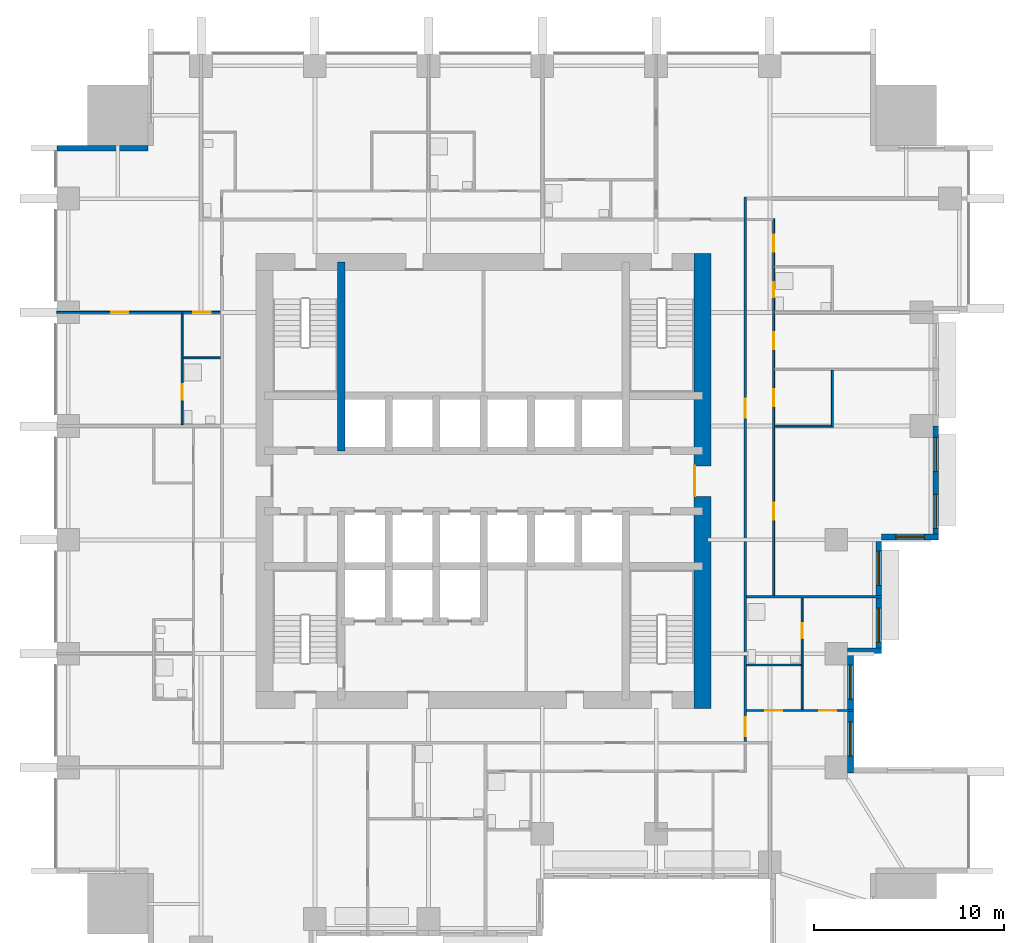
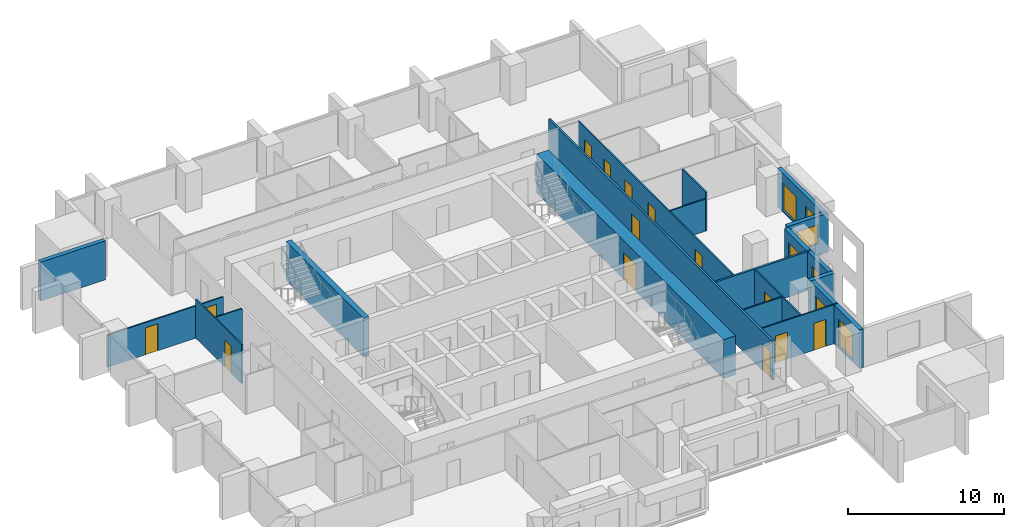
# One storey, part 6 of 10: 19 walls, 14 doors, 7 windows, 21 openings.
"""IFC4 building model written with IfcOpenShell, lengths in metres."""

import ifcopenshell
import ifcopenshell.guid

model = None  # the IFC model being written
_history = None  # IfcOwnerHistory: only IFC2X3 demands one
_inside = {}  # id of a spatial element -> (the spatial element, [elements in it])
_under = {}  # id of a project, library or spatial element -> (it, [spatial elements below it])
_declared = {}  # id of a project -> (the project, [libraries it declares])
_typed = {}  # id of a type object -> (the type object, [elements of that type])
_made_of = {}  # id of a material, layer set ... -> (it, [elements and type objects made of it])


def new_model(schema):
    """Start an empty IFC model of exactly this schema.

    Asked for "IFC4X3", IfcOpenShell would pick the latest addendum, in which some entities
    have other attributes; the version numbers below select the first issue.
    IFC2X3 requires an IfcOwnerHistory on every rooted entity: one is made here for all.
    """
    global model, _history
    if schema == "IFC4X3":
        model = ifcopenshell.file(schema_version=(4, 3, 0, 0))
    else:
        model = ifcopenshell.file(schema=schema)
    _inside.clear()
    _under.clear()
    _declared.clear()
    _typed.clear()
    _made_of.clear()
    _history = None
    if model.schema == "IFC2X3":
        org = make("IfcOrganization", Name="unknown")
        user = make(
            "IfcPersonAndOrganization",
            ThePerson=make("IfcPerson", FamilyName="unknown"),
            TheOrganization=org,
        )
        app = make(
            "IfcApplication",
            ApplicationDeveloper=org,
            Version="unknown",
            ApplicationFullName="unknown",
            ApplicationIdentifier="unknown",
        )
        _history = make(
            "IfcOwnerHistory",
            OwningUser=user,
            OwningApplication=app,
            ChangeAction="ADDED",
            CreationDate=0,
        )
    return model


def make(cls, **values):
    """One entity of the class cls with the attributes given. An attribute that is None is left unset."""
    return model.create_entity(
        cls, **{name: value for name, value in values.items() if value is not None}
    )


def rooted(cls, **values):
    """An entity with a GlobalId (a new one), such as an element, a storey or a relation."""
    return make(cls, GlobalId=ifcopenshell.guid.new(), OwnerHistory=_history, **values)


def si_unit(unit_type, name, prefix=None):
    """IfcSIUnit, for example si_unit("LENGTHUNIT", "METRE", prefix="MILLI")."""
    return make("IfcSIUnit", UnitType=unit_type, Prefix=prefix, Name=name)


def assignment(units):
    """IfcUnitAssignment: the units of a project."""
    return None if units is None else make("IfcUnitAssignment", Units=units)


def point(xyz):
    """IfcCartesianPoint."""
    return None if xyz is None else make("IfcCartesianPoint", Coordinates=xyz)


def direction(xyz):
    """IfcDirection."""
    return None if xyz is None else make("IfcDirection", DirectionRatios=xyz)


def frame(location, z_axis=None, x_axis=None):
    """IfcAxis2Placement3D, a coordinate frame: its origin and axes. An axis left out is left unset."""
    return make(
        "IfcAxis2Placement3D",
        Location=point(location),
        Axis=direction(z_axis),
        RefDirection=direction(x_axis),
    )


def frame_2d(location, x_axis=None):
    """IfcAxis2Placement2D, a coordinate frame in the plane: its origin and x axis."""
    return make(
        "IfcAxis2Placement2D", Location=point(location), RefDirection=direction(x_axis)
    )


def origin():
    """The frame at (0, 0, 0) with its axes left unset."""
    return frame((0.0, 0.0, 0.0))


def place(relative_to, where):
    """IfcLocalPlacement: puts the frame where relative to a parent placement (None: the world)."""
    return make(
        "IfcLocalPlacement", PlacementRelTo=relative_to, RelativePlacement=where
    )


def context(
    kind, dimensions, precision=None, world=None, true_north=None, identifier=None
):
    """IfcGeometricRepresentationContext, for example the 3D "Model" context."""
    return make(
        "IfcGeometricRepresentationContext",
        ContextIdentifier=identifier,
        ContextType=kind,
        CoordinateSpaceDimension=dimensions,
        Precision=precision,
        WorldCoordinateSystem=world,
        TrueNorth=true_north,
    )


def subcontext(parent, identifier, kind, view, scale=None):
    """IfcGeometricRepresentationSubContext, for example "Body" below "Model"."""
    return make(
        "IfcGeometricRepresentationSubContext",
        ContextIdentifier=identifier,
        ContextType=kind,
        ParentContext=parent,
        TargetScale=scale,
        TargetView=view,
    )


def project(units=None, contexts=None):
    """IfcProject with its units and contexts."""
    return rooted(
        "IfcProject",
        Name="project",
        RepresentationContexts=contexts,
        UnitsInContext=assignment(units),
    )


def spatial(cls, under=None, at=None, **own):
    """A site, building, storey or space (cls), placed at a placement, below another one or the project."""
    s = rooted(cls, ObjectPlacement=at, **own)
    if under is not None:
        _under.setdefault(under.id(), (under, []))[1].append(s)
    return s


def profile(cls, at=None, kind="AREA", **sizes):
    """A parametric profile (cls). Its sizes go by their IFC names, for example OverallWidth=200.0."""
    return make(cls, ProfileType=kind, Position=at, **sizes)


def rectangle(**sizes):
    """IfcRectangleProfileDef."""
    return profile("IfcRectangleProfileDef", **sizes)


def extrude(swept, where, along, depth):
    """IfcExtrudedAreaSolid: the profile swept, set in the frame where, extruded along a direction by depth."""
    return make(
        "IfcExtrudedAreaSolid",
        SweptArea=swept,
        Position=where,
        ExtrudedDirection=direction(along),
        Depth=depth,
    )


def shape(context_of_items, identifier, shape_type, items):
    """IfcShapeRepresentation: the items that make up one representation, for example the "Body"."""
    return make(
        "IfcShapeRepresentation",
        ContextOfItems=context_of_items,
        RepresentationIdentifier=identifier,
        RepresentationType=shape_type,
        Items=items,
    )


def material(Name=None, Category=None):
    """IfcMaterial."""
    return make("IfcMaterial", Name=Name, Category=Category)


def layer(
    of_material, thickness, ventilated=None, Name=None, Category=None, Priority=None
):
    """IfcMaterialLayer: one layer of a wall or slab, of a material (None: an air gap)."""
    return make(
        "IfcMaterialLayer",
        Material=of_material,
        LayerThickness=thickness,
        IsVentilated=ventilated,
        Name=Name,
        Category=Category,
        Priority=Priority,
    )


def layer_set(layers, Name=None):
    """IfcMaterialLayerSet."""
    return make("IfcMaterialLayerSet", MaterialLayers=layers, LayerSetName=Name)


def made_of(thing, what):
    """Note that an element or type object is made of a material, layer set ...; save() writes the relation."""
    if what is not None:
        _made_of.setdefault(what.id(), (what, []))[1].append(thing)
    return thing


def type_object(cls, material=None, **own):
    """A type object (cls), such as IfcWallType, which elements share."""
    return made_of(rooted(cls, **own), material)


def element(
    cls,
    number,
    at=None,
    inside=None,
    cuts=None,
    type_object=None,
    material=None,
    context=None,
    identifier="Body",
    shape_type=None,
    held_by="IfcProductDefinitionShape",
    body=None,
    shapes=None,
    **own,
):
    """One element of the class cls, such as IfcWall. Its Tag is "e" and its number.

    at: its placement. inside: the storey or other place that contains it. cuts: it is an
    opening in that element (IfcRelVoidsElement). A single representation is given by context,
    identifier, shape_type and body (its items); several are given by shapes. held_by: the class
    of the entity that holds the representations. save() writes the other relations.
    """
    e = rooted(cls, Tag="e%d" % number, ObjectPlacement=at, **own)
    if body is not None:
        shapes = [shape(context, identifier, shape_type, body)]
    if shapes is not None:
        e.Representation = make(held_by, Representations=shapes)
    if inside is not None:
        _inside.setdefault(inside.id(), (inside, []))[1].append(e)
    if cuts is not None:
        rooted(
            "IfcRelVoidsElement", RelatingBuildingElement=cuts, RelatedOpeningElement=e
        )
    if type_object is not None:
        _typed.setdefault(type_object.id(), (type_object, []))[1].append(e)
    return made_of(e, material)


def fill(opening, filler):
    """IfcRelFillsElement: the door or window that sits in an opening."""
    return rooted(
        "IfcRelFillsElement",
        RelatingOpeningElement=opening,
        RelatedBuildingElement=filler,
    )


def aggregate(whole, parts):
    """IfcRelAggregates: a whole, such as a stair, and the parts it consists of."""
    return rooted("IfcRelAggregates", RelatingObject=whole, RelatedObjects=parts)


def save(model, path):
    """Write the relations noted so far, then the file.

    IfcRelAggregates (storeys below a building ...), IfcRelContainedInSpatialStructure (elements
    in a storey), IfcRelDefinesByType, IfcRelAssociatesMaterial and IfcRelDeclares: one each for
    every whole, place, type object, material and project.
    """
    for whole, parts in _under.values():
        aggregate(whole, parts)
    for where, things in _inside.values():
        rooted(
            "IfcRelContainedInSpatialStructure",
            RelatedElements=things,
            RelatingStructure=where,
        )
    for kind, things in _typed.values():
        rooted("IfcRelDefinesByType", RelatedObjects=things, RelatingType=kind)
    for what, things in _made_of.values():
        rooted("IfcRelAssociatesMaterial", RelatedObjects=things, RelatingMaterial=what)
    for by, libraries in _declared.values():
        rooted("IfcRelDeclares", RelatingContext=by, RelatedDefinitions=libraries)
    model.write(path)


model = new_model("IFC4")

# Units and contexts
model_context = context("Model", 3, precision=1e-05, world=origin(), true_north=direction((0.0, 1.0)))
body_context = subcontext(model_context, "Body", "Model", "MODEL_VIEW")
ifc_project = project(units=[si_unit("LENGTHUNIT", "METRE"), si_unit("AREAUNIT", "SQUARE_METRE"), si_unit("VOLUMEUNIT", "CUBIC_METRE"), si_unit("PLANEANGLEUNIT", "RADIAN"), si_unit("MASSUNIT", "GRAM", prefix="KILO")], contexts=[model_context])

# Site, building, storey
site_placement = place(None, origin())
site = spatial("IfcSite", under=ifc_project, at=site_placement, CompositionType="ELEMENT")
building_placement = place(site_placement, origin())
building = spatial("IfcBuilding", under=site, at=building_placement, Name="Amberfall Residences", CompositionType="ELEMENT")
storey_placement = place(building_placement, frame((0.0, 0.0, 40.0)))
storey = spatial("IfcBuildingStorey", under=building, at=storey_placement, Name="L10", CompositionType="ELEMENT", Elevation=40.0)

# Wall
ifc_material_1 = material(Name="Pale stone cladding on insulated backing", Category="masonry")
ifc_layer_1 = layer(ifc_material_1, 0.300048828125)
ifc_layer_set_1 = layer_set([ifc_layer_1], Name="Bronze clad wall 300")
wall_type_1 = type_object("IfcWallType", Name="Bronze clad wall 300", PredefinedType="SOLIDWALL", material=ifc_layer_set_1)
wall_1_placement = place(storey_placement, frame((93.699951171875, 36.550048828125, 0.0), z_axis=(0.0, 0.0, 1.0), x_axis=(1.0, 0.0, 0.0)))
element("IfcWall", 1, at=wall_1_placement, inside=storey, type_object=wall_type_1, Name="External wall L10 E", PredefinedType="SOLIDWALL", context=body_context, shape_type="SweptSolid", body=[
    extrude(rectangle(XDim=1.800048828125, YDim=0.300048828125, at=frame_2d((0.89990234375, 0.0))), origin(), (0.0, 0.0, 1.0), 3.050048828125),
])

# Wall, opening, window
wall_2_placement = place(storey_placement, frame((95.5, 42.550048828125, 0.0), z_axis=(0.0, 0.0, 1.0), x_axis=(1.0, 0.0, 0.0)))
wall_2 = element("IfcWall", 2, at=wall_2_placement, inside=storey, type_object=wall_type_1, Name="External wall L10 E", PredefinedType="SOLIDWALL", context=body_context, shape_type="SweptSolid", body=[
    extrude(rectangle(XDim=3.0, YDim=0.300048828125, at=frame_2d((1.5, 0.0))), origin(), (0.0, 0.0, 1.0), 3.050048828125),
])
opening_1_placement = place(wall_2_placement, frame((0.75, 0.0, 0.89990234375)))
opening_1 = element("IfcOpeningElement", 3, at=opening_1_placement, cuts=wall_2, Name="Opening WN1", PredefinedType="OPENING", context=body_context, shape_type="SweptSolid", body=[
    extrude(rectangle(XDim=1.5, YDim=1.5, at=frame_2d((0.75, 0.75))), frame((0.0, 0.159912109375, 0.0), z_axis=(0.0, -1.0, 0.0), x_axis=(1.0, 0.0, 0.0)), (0.0, 0.0, 1.0), 0.320068359375),
])
ifc_material_2 = material(Name="Bronze aluminium framed glazing", Category="aluminium")
window_type_1 = type_object("IfcWindowType", Name="Window 1500 x 1500 bronze", PartitioningType="DOUBLE_PANEL_VERTICAL", PredefinedType="WINDOW", material=ifc_material_2)
window_1_placement = place(opening_1_placement, origin())
window_1 = element("IfcWindow", 4, at=window_1_placement, inside=storey, type_object=window_type_1, Name="Window L10 E", OverallHeight=1.5, OverallWidth=1.5, PartitioningType="DOUBLE_PANEL_VERTICAL", PredefinedType="WINDOW", context=body_context, shape_type="SweptSolid", body=[
    extrude(rectangle(XDim=1.5, YDim=1.5, at=frame_2d((0.75, 0.75))), frame((0.0, 0.030029296875, 0.0), z_axis=(0.0, -1.0, 0.0), x_axis=(1.0, 0.0, 0.0)), (0.0, 0.0, 1.0), 0.06005859375),
])
fill(opening_1, window_1)

# Wall
wall_3_placement = place(storey_placement, frame((56.800048828125, 63.050048828125, 0.0), z_axis=(0.0, 0.0, 1.0), x_axis=(-1.0, 0.0, 0.0)))
element("IfcWall", 5, at=wall_3_placement, inside=storey, type_object=wall_type_1, Name="External wall L10 NW", PredefinedType="SOLIDWALL", context=body_context, shape_type="SweptSolid", body=[
    extrude(rectangle(XDim=4.800048828125, YDim=0.300048828125, at=frame_2d((2.39990234375, 0.0))), origin(), (0.0, 0.0, 1.0), 3.050048828125),
])

# Wall, openings, windows
wall_4_placement = place(storey_placement, frame((93.85009765625, 30.10009765625, 0.0), z_axis=(0.0, 0.0, 1.0), x_axis=(0.0, 1.0, 0.0)))
wall_4 = element("IfcWall", 6, at=wall_4_placement, inside=storey, type_object=wall_type_1, Name="Stone wall L10 E", PredefinedType="SOLIDWALL", context=body_context, shape_type="SweptSolid", body=[
    extrude(rectangle(XDim=6.2998046875, YDim=0.300048828125, at=frame_2d((3.14990234375, 0.0))), origin(), (0.0, 0.0, 1.0), 3.050048828125),
])
opening_2_placement = place(wall_4_placement, frame((0.89990234375, 0.0, 0.14990234375)))
opening_2 = element("IfcOpeningElement", 7, at=opening_2_placement, cuts=wall_4, Name="Opening WN6", PredefinedType="OPENING", context=body_context, shape_type="SweptSolid", body=[
    extrude(rectangle(XDim=1.800048828125, YDim=2.10009765625, at=frame_2d((0.89990234375, 1.050048828125))), frame((0.0, 0.159912109375, 0.0), z_axis=(0.0, -1.0, 0.0), x_axis=(1.0, 0.0, 0.0)), (0.0, 0.0, 1.0), 0.320068359375),
])
opening_3_placement = place(wall_4_placement, frame((3.89990234375, 0.0, 0.14990234375)))
opening_3 = element("IfcOpeningElement", 8, at=opening_3_placement, cuts=wall_4, Name="Opening WN6", PredefinedType="OPENING", context=body_context, shape_type="SweptSolid", body=[
    extrude(rectangle(XDim=1.800048828125, YDim=2.10009765625, at=frame_2d((0.89990234375, 1.050048828125))), frame((0.0, 0.159912109375, 0.0), z_axis=(0.0, -1.0, 0.0), x_axis=(1.0, 0.0, 0.0)), (0.0, 0.0, 1.0), 0.320068359375),
])
window_type_2 = type_object("IfcWindowType", Name="Glazed opening 1800 x 2100 bronze", PartitioningType="DOUBLE_PANEL_VERTICAL", PredefinedType="WINDOW", material=ifc_material_2)
window_2_placement = place(opening_2_placement, origin())
window_2 = element("IfcWindow", 9, at=window_2_placement, inside=storey, type_object=window_type_2, Name="Window L10 E", OverallHeight=2.10009765625, OverallWidth=1.800048828125, PartitioningType="DOUBLE_PANEL_VERTICAL", PredefinedType="WINDOW", context=body_context, shape_type="SweptSolid", body=[
    extrude(rectangle(XDim=1.800048828125, YDim=2.10009765625, at=frame_2d((0.89990234375, 1.050048828125))), frame((0.0, 0.030029296875, 0.0), z_axis=(0.0, -1.0, 0.0), x_axis=(1.0, 0.0, 0.0)), (0.0, 0.0, 1.0), 0.06005859375),
])
fill(opening_2, window_2)
window_3_placement = place(opening_3_placement, origin())
window_3 = element("IfcWindow", 10, at=window_3_placement, inside=storey, type_object=window_type_2, Name="Window L10 E", OverallHeight=2.10009765625, OverallWidth=1.800048828125, PartitioningType="DOUBLE_PANEL_VERTICAL", PredefinedType="WINDOW", context=body_context, shape_type="SweptSolid", body=[
    extrude(rectangle(XDim=1.800048828125, YDim=2.10009765625, at=frame_2d((0.89990234375, 1.050048828125))), frame((0.0, 0.030029296875, 0.0), z_axis=(0.0, -1.0, 0.0), x_axis=(1.0, 0.0, 0.0)), (0.0, 0.0, 1.0), 0.06005859375),
])
fill(opening_3, window_3)

wall_5_placement = place(storey_placement, frame((95.35009765625, 36.699951171875, 0.0), z_axis=(0.0, 0.0, 1.0), x_axis=(0.0, 1.0, 0.0)))
wall_5 = element("IfcWall", 11, at=wall_5_placement, inside=storey, type_object=wall_type_1, Name="Stone wall L10 E", PredefinedType="SOLIDWALL", context=body_context, shape_type="SweptSolid", body=[
    extrude(rectangle(XDim=5.610107421875, YDim=0.300048828125, at=frame_2d((2.80517578125, 0.0))), origin(), (0.0, 0.0, 1.0), 3.050048828125),
])
opening_4_placement = place(wall_5_placement, frame((0.300048828125, 0.0, 0.14990234375)))
opening_4 = element("IfcOpeningElement", 12, at=opening_4_placement, cuts=wall_5, Name="Opening WN6", PredefinedType="OPENING", context=body_context, shape_type="SweptSolid", body=[
    extrude(rectangle(XDim=1.800048828125, YDim=2.10009765625, at=frame_2d((0.89990234375, 1.050048828125))), frame((0.0, 0.159912109375, 0.0), z_axis=(0.0, -1.0, 0.0), x_axis=(1.0, 0.0, 0.0)), (0.0, 0.0, 1.0), 0.320068359375),
])
opening_5_placement = place(wall_5_placement, frame((3.300048828125, 0.0, 0.14990234375)))
opening_5 = element("IfcOpeningElement", 13, at=opening_5_placement, cuts=wall_5, Name="Opening WN6", PredefinedType="OPENING", context=body_context, shape_type="SweptSolid", body=[
    extrude(rectangle(XDim=1.800048828125, YDim=2.10009765625, at=frame_2d((0.89990234375, 1.050048828125))), frame((0.0, 0.159912109375, 0.0), z_axis=(0.0, -1.0, 0.0), x_axis=(1.0, 0.0, 0.0)), (0.0, 0.0, 1.0), 0.320068359375),
])
window_4_placement = place(opening_4_placement, origin())
window_4 = element("IfcWindow", 14, at=window_4_placement, inside=storey, type_object=window_type_2, Name="Window L10 E", OverallHeight=2.10009765625, OverallWidth=1.800048828125, PartitioningType="DOUBLE_PANEL_VERTICAL", PredefinedType="WINDOW", context=body_context, shape_type="SweptSolid", body=[
    extrude(rectangle(XDim=1.800048828125, YDim=2.10009765625, at=frame_2d((0.89990234375, 1.050048828125))), frame((0.0, 0.030029296875, 0.0), z_axis=(0.0, -1.0, 0.0), x_axis=(1.0, 0.0, 0.0)), (0.0, 0.0, 1.0), 0.06005859375),
])
fill(opening_4, window_4)
window_5_placement = place(opening_5_placement, origin())
window_5 = element("IfcWindow", 15, at=window_5_placement, inside=storey, type_object=window_type_2, Name="Window L10 E", OverallHeight=2.10009765625, OverallWidth=1.800048828125, PartitioningType="DOUBLE_PANEL_VERTICAL", PredefinedType="WINDOW", context=body_context, shape_type="SweptSolid", body=[
    extrude(rectangle(XDim=1.800048828125, YDim=2.10009765625, at=frame_2d((0.89990234375, 1.050048828125))), frame((0.0, 0.030029296875, 0.0), z_axis=(0.0, -1.0, 0.0), x_axis=(1.0, 0.0, 0.0)), (0.0, 0.0, 1.0), 0.06005859375),
])
fill(opening_5, window_5)

wall_6_placement = place(storey_placement, frame((98.35009765625, 42.699951171875, 0.0), z_axis=(0.0, 0.0, 1.0), x_axis=(0.0, 1.0, 0.0)))
wall_6 = element("IfcWall", 16, at=wall_6_placement, inside=storey, type_object=wall_type_1, Name="Stone wall L10 E", PredefinedType="SOLIDWALL", context=body_context, shape_type="SweptSolid", body=[
    extrude(rectangle(XDim=5.699951171875, YDim=0.300048828125, at=frame_2d((2.85009765625, 0.0))), origin(), (0.0, 0.0, 1.0), 3.050048828125),
])
opening_6_placement = place(wall_6_placement, frame((0.300048828125, 0.0, 0.14990234375)))
opening_6 = element("IfcOpeningElement", 17, at=opening_6_placement, cuts=wall_6, Name="Opening WN6", PredefinedType="OPENING", context=body_context, shape_type="SweptSolid", body=[
    extrude(rectangle(XDim=1.800048828125, YDim=2.10009765625, at=frame_2d((0.89990234375, 1.050048828125))), frame((0.0, 0.159912109375, 0.0), z_axis=(0.0, -1.0, 0.0), x_axis=(1.0, 0.0, 0.0)), (0.0, 0.0, 1.0), 0.320068359375),
])
opening_7_placement = place(wall_6_placement, frame((3.300048828125, 0.0, 0.14990234375)))
opening_7 = element("IfcOpeningElement", 18, at=opening_7_placement, cuts=wall_6, Name="Opening WN6", PredefinedType="OPENING", context=body_context, shape_type="SweptSolid", body=[
    extrude(rectangle(XDim=1.800048828125, YDim=2.10009765625, at=frame_2d((0.89990234375, 1.050048828125))), frame((0.0, 0.159912109375, 0.0), z_axis=(0.0, -1.0, 0.0), x_axis=(1.0, 0.0, 0.0)), (0.0, 0.0, 1.0), 0.320068359375),
])
window_6_placement = place(opening_6_placement, origin())
window_6 = element("IfcWindow", 19, at=window_6_placement, inside=storey, type_object=window_type_2, Name="Window L10 E", OverallHeight=2.10009765625, OverallWidth=1.800048828125, PartitioningType="DOUBLE_PANEL_VERTICAL", PredefinedType="WINDOW", context=body_context, shape_type="SweptSolid", body=[
    extrude(rectangle(XDim=1.800048828125, YDim=2.10009765625, at=frame_2d((0.89990234375, 1.050048828125))), frame((0.0, 0.030029296875, 0.0), z_axis=(0.0, -1.0, 0.0), x_axis=(1.0, 0.0, 0.0)), (0.0, 0.0, 1.0), 0.06005859375),
])
fill(opening_6, window_6)
window_7_placement = place(opening_7_placement, origin())
window_7 = element("IfcWindow", 20, at=window_7_placement, inside=storey, type_object=window_type_2, Name="Window L10 E", OverallHeight=2.10009765625, OverallWidth=1.800048828125, PartitioningType="DOUBLE_PANEL_VERTICAL", PredefinedType="WINDOW", context=body_context, shape_type="SweptSolid", body=[
    extrude(rectangle(XDim=1.800048828125, YDim=2.10009765625, at=frame_2d((0.89990234375, 1.050048828125))), frame((0.0, 0.030029296875, 0.0), z_axis=(0.0, -1.0, 0.0), x_axis=(1.0, 0.0, 0.0)), (0.0, 0.0, 1.0), 0.06005859375),
])
fill(opening_7, window_7)

# Wall
ifc_material_3 = material(Name="Concrete C80", Category="concrete")
ifc_layer_2 = layer(ifc_material_3, 0.39990234375)
ifc_layer_set_2 = layer_set([ifc_layer_2], Name="Core wall 400 C80")
wall_type_2 = type_object("IfcWallType", Name="Core wall 400 C80", PredefinedType="SHEAR", material=ifc_layer_set_2)
wall_7_placement = place(storey_placement, frame((67.0, 47.10009765625, 0.0), z_axis=(0.0, 0.0, 1.0), x_axis=(0.0, 1.0, 0.0)))
element("IfcWall", 21, at=wall_7_placement, inside=storey, type_object=wall_type_2, Name="Core wall RW2 L10 V45N", PredefinedType="SHEAR", context=body_context, shape_type="SweptSolid", body=[
    extrude(rectangle(XDim=9.949951171875, YDim=0.39990234375, at=frame_2d((4.97509765625, 0.0))), origin(), (0.0, 0.0, 1.0), 3.050048828125),
])

# Wall, opening, door
ifc_layer_3 = layer(ifc_material_3, 0.89990234375)
ifc_layer_set_3 = layer_set([ifc_layer_3], Name="Core wall 900 C80")
wall_type_3 = type_object("IfcWallType", Name="Core wall 900 C80", PredefinedType="SHEAR", material=ifc_layer_set_3)
wall_8_placement = place(storey_placement, frame((86.050048828125, 33.5, 0.0), z_axis=(0.0, 0.0, 1.0), x_axis=(0.0, 1.0, 0.0)))
wall_8 = element("IfcWall", 22, at=wall_8_placement, inside=storey, type_object=wall_type_3, Name="Core wall RW1 L10 OE", PredefinedType="SHEAR", context=body_context, shape_type="SweptSolid", body=[
    extrude(rectangle(XDim=24.0, YDim=0.89990234375, at=frame_2d((12.0, 0.0))), origin(), (0.0, 0.0, 1.0), 3.050048828125),
])
opening_8_placement = place(wall_8_placement, frame((11.199951171875, 0.0, 0.0)))
opening_8 = element("IfcOpeningElement", 23, at=opening_8_placement, cuts=wall_8, Name="Opening LB1", PredefinedType="OPENING", context=body_context, shape_type="SweptSolid", body=[
    extrude(rectangle(XDim=1.60009765625, YDim=2.10009765625, at=frame_2d((0.800048828125, 1.050048828125))), frame((0.0, 0.4599609375, 0.0), z_axis=(0.0, -1.0, 0.0), x_axis=(1.0, 0.0, 0.0)), (0.0, 0.0, 1.0), 0.919921875),
])
ifc_material_4 = material(Name="Steel fire door set", Category="steel")
door_type_1 = type_object("IfcDoorType", Name="Lift lobby double door 1600 x 2100", OperationType="DOUBLE_DOOR_SINGLE_SWING", PredefinedType="DOOR", material=ifc_material_4)
door_1_placement = place(opening_8_placement, origin())
door_1 = element("IfcDoor", 24, at=door_1_placement, inside=storey, type_object=door_type_1, Name="LB1 L10", OperationType="DOUBLE_DOOR_SINGLE_SWING", OverallHeight=2.10009765625, OverallWidth=1.60009765625, PredefinedType="DOOR", context=body_context, shape_type="SweptSolid", body=[
    extrude(rectangle(XDim=1.60009765625, YDim=2.10009765625, at=frame_2d((0.800048828125, 1.050048828125))), frame((0.0, 0.4375, 0.0), z_axis=(0.0, -1.0, 0.0), x_axis=(1.0, 0.0, 0.0)), (0.0, 0.0, 1.0), 0.050048828125),
])
fill(opening_8, door_1)

ifc_material_5 = material(Name="Gypsum board on metal stud")
ifc_layer_4 = layer(ifc_material_5, 0.10009765625)
ifc_layer_set_4 = layer_set([ifc_layer_4], Name="Flat partition 100")
wall_type_4 = type_object("IfcWallType", Name="Flat partition 100", PredefinedType="PARTITIONING", material=ifc_layer_set_4)
wall_9_placement = place(storey_placement, frame((58.60009765625, 54.35009765625, 0.0), z_axis=(0.0, 0.0, 1.0), x_axis=(0.0, -1.0, 0.0)))
wall_9 = element("IfcWall", 25, at=wall_9_placement, inside=storey, type_object=wall_type_4, Name="Partition 003", PredefinedType="PARTITIONING", context=body_context, shape_type="SweptSolid", body=[
    extrude(rectangle(XDim=5.875, YDim=0.10009765625, at=frame_2d((2.9375, 0.0))), origin(), (0.0, 0.0, 1.0), 3.050048828125),
])
opening_9_placement = place(wall_9_placement, frame((3.75, 0.0, 0.0)))
opening_9 = element("IfcOpeningElement", 26, at=opening_9_placement, cuts=wall_9, Name="Opening D42", PredefinedType="OPENING", context=body_context, shape_type="SweptSolid", body=[
    extrude(rectangle(XDim=0.800048828125, YDim=2.10009765625, at=frame_2d((0.39990234375, 1.050048828125))), frame((0.0, 0.06005859375, 0.0), z_axis=(0.0, -1.0, 0.0), x_axis=(1.0, 0.0, 0.0)), (0.0, 0.0, 1.0), 0.1201171875),
])
ifc_material_6 = material(Name="Timber", Category="wood")
door_type_2 = type_object("IfcDoorType", Name="Bathroom door 800 x 2100", OperationType="SINGLE_SWING_LEFT", PredefinedType="DOOR", material=ifc_material_6)
door_2_placement = place(opening_9_placement, origin())
door_2 = element("IfcDoor", 27, at=door_2_placement, inside=storey, type_object=door_type_2, Name="Door 1008 bath1", OperationType="SINGLE_SWING_LEFT", OverallHeight=2.10009765625, OverallWidth=0.800048828125, PredefinedType="DOOR", context=body_context, shape_type="SweptSolid", body=[
    extrude(rectangle(XDim=0.800048828125, YDim=2.10009765625, at=frame_2d((0.39990234375, 1.050048828125))), frame((0.0, 0.02490234375, 0.0), z_axis=(0.0, -1.0, 0.0), x_axis=(1.0, 0.0, 0.0)), (0.0, 0.0, 1.0), 0.050048828125),
])
fill(opening_9, door_2)

# Wall, openings, doors
wall_10_placement = place(storey_placement, frame((89.800048828125, 59.35009765625, 0.0), z_axis=(0.0, 0.0, 1.0), x_axis=(0.0, -1.0, 0.0)))
wall_10 = element("IfcWall", 28, at=wall_10_placement, inside=storey, type_object=wall_type_4, Name="Partition 018", PredefinedType="PARTITIONING", context=body_context, shape_type="SweptSolid", body=[
    extrude(rectangle(XDim=19.875, YDim=0.10009765625, at=frame_2d((9.9375, 0.0))), origin(), (0.0, 0.0, 1.0), 3.050048828125),
])
opening_10_placement = place(wall_10_placement, frame((15.0, 0.0, 0.0)))
opening_10 = element("IfcOpeningElement", 29, at=opening_10_placement, cuts=wall_10, Name="Opening D41", PredefinedType="OPENING", context=body_context, shape_type="SweptSolid", body=[
    extrude(rectangle(XDim=0.89990234375, YDim=2.10009765625, at=frame_2d((0.449951171875, 1.050048828125))), frame((0.0, 0.06005859375, 0.0), z_axis=(0.0, -1.0, 0.0), x_axis=(1.0, 0.0, 0.0)), (0.0, 0.0, 1.0), 0.1201171875),
])
opening_11_placement = place(wall_10_placement, frame((9.0, 0.0, 0.0)))
opening_11 = element("IfcOpeningElement", 30, at=opening_11_placement, cuts=wall_10, Name="Opening D41", PredefinedType="OPENING", context=body_context, shape_type="SweptSolid", body=[
    extrude(rectangle(XDim=0.89990234375, YDim=2.10009765625, at=frame_2d((0.449951171875, 1.050048828125))), frame((0.0, 0.06005859375, 0.0), z_axis=(0.0, -1.0, 0.0), x_axis=(1.0, 0.0, 0.0)), (0.0, 0.0, 1.0), 0.1201171875),
])
opening_12_placement = place(wall_10_placement, frame((6.0, 0.0, 0.0)))
opening_12 = element("IfcOpeningElement", 31, at=opening_12_placement, cuts=wall_10, Name="Opening D41", PredefinedType="OPENING", context=body_context, shape_type="SweptSolid", body=[
    extrude(rectangle(XDim=0.89990234375, YDim=2.10009765625, at=frame_2d((0.449951171875, 1.050048828125))), frame((0.0, 0.06005859375, 0.0), z_axis=(0.0, -1.0, 0.0), x_axis=(1.0, 0.0, 0.0)), (0.0, 0.0, 1.0), 0.1201171875),
])
opening_13_placement = place(wall_10_placement, frame((0.85009765625, 0.0, 0.0)))
opening_13 = element("IfcOpeningElement", 32, at=opening_13_placement, cuts=wall_10, Name="Opening D41", PredefinedType="OPENING", context=body_context, shape_type="SweptSolid", body=[
    extrude(rectangle(XDim=0.89990234375, YDim=2.10009765625, at=frame_2d((0.449951171875, 1.050048828125))), frame((0.0, 0.06005859375, 0.0), z_axis=(0.0, -1.0, 0.0), x_axis=(1.0, 0.0, 0.0)), (0.0, 0.0, 1.0), 0.1201171875),
])
opening_14_placement = place(wall_10_placement, frame((3.35009765625, 0.0, 0.0)))
opening_14 = element("IfcOpeningElement", 33, at=opening_14_placement, cuts=wall_10, Name="Opening D42", PredefinedType="OPENING", context=body_context, shape_type="SweptSolid", body=[
    extrude(rectangle(XDim=0.800048828125, YDim=2.10009765625, at=frame_2d((0.39990234375, 1.050048828125))), frame((0.0, 0.06005859375, 0.0), z_axis=(0.0, -1.0, 0.0), x_axis=(1.0, 0.0, 0.0)), (0.0, 0.0, 1.0), 0.1201171875),
])
door_3_placement = place(opening_14_placement, origin())
door_3 = element("IfcDoor", 34, at=door_3_placement, inside=storey, type_object=door_type_2, Name="Door 1004 bath1", OperationType="SINGLE_SWING_LEFT", OverallHeight=2.10009765625, OverallWidth=0.800048828125, PredefinedType="DOOR", context=body_context, shape_type="SweptSolid", body=[
    extrude(rectangle(XDim=0.800048828125, YDim=2.10009765625, at=frame_2d((0.39990234375, 1.050048828125))), frame((0.0, 0.02490234375, 0.0), z_axis=(0.0, -1.0, 0.0), x_axis=(1.0, 0.0, 0.0)), (0.0, 0.0, 1.0), 0.050048828125),
])
fill(opening_14, door_3)
door_type_3 = type_object("IfcDoorType", Name="Internal door 900 x 2100", OperationType="SINGLE_SWING_LEFT", PredefinedType="DOOR", material=ifc_material_6)
door_4_placement = place(opening_10_placement, origin())
door_4 = element("IfcDoor", 35, at=door_4_placement, inside=storey, type_object=door_type_3, Name="Door 1004 living", OperationType="SINGLE_SWING_LEFT", OverallHeight=2.10009765625, OverallWidth=0.89990234375, PredefinedType="DOOR", context=body_context, shape_type="SweptSolid", body=[
    extrude(rectangle(XDim=0.89990234375, YDim=2.10009765625, at=frame_2d((0.449951171875, 1.050048828125))), frame((0.0, 0.02490234375, 0.0), z_axis=(0.0, -1.0, 0.0), x_axis=(1.0, 0.0, 0.0)), (0.0, 0.0, 1.0), 0.050048828125),
])
fill(opening_10, door_4)
door_5_placement = place(opening_11_placement, origin())
door_5 = element("IfcDoor", 36, at=door_5_placement, inside=storey, type_object=door_type_3, Name="Door 1004 kitchen", OperationType="SINGLE_SWING_LEFT", OverallHeight=2.10009765625, OverallWidth=0.89990234375, PredefinedType="DOOR", context=body_context, shape_type="SweptSolid", body=[
    extrude(rectangle(XDim=0.89990234375, YDim=2.10009765625, at=frame_2d((0.449951171875, 1.050048828125))), frame((0.0, 0.02490234375, 0.0), z_axis=(0.0, -1.0, 0.0), x_axis=(1.0, 0.0, 0.0)), (0.0, 0.0, 1.0), 0.050048828125),
])
fill(opening_11, door_5)
door_6_placement = place(opening_12_placement, origin())
door_6 = element("IfcDoor", 37, at=door_6_placement, inside=storey, type_object=door_type_3, Name="Door 1004 bedroom1", OperationType="SINGLE_SWING_LEFT", OverallHeight=2.10009765625, OverallWidth=0.89990234375, PredefinedType="DOOR", context=body_context, shape_type="SweptSolid", body=[
    extrude(rectangle(XDim=0.89990234375, YDim=2.10009765625, at=frame_2d((0.449951171875, 1.050048828125))), frame((0.0, 0.02490234375, 0.0), z_axis=(0.0, -1.0, 0.0), x_axis=(1.0, 0.0, 0.0)), (0.0, 0.0, 1.0), 0.050048828125),
])
fill(opening_12, door_6)
door_7_placement = place(opening_13_placement, origin())
door_7 = element("IfcDoor", 38, at=door_7_placement, inside=storey, type_object=door_type_3, Name="Door 1004 bedroom2", OperationType="SINGLE_SWING_LEFT", OverallHeight=2.10009765625, OverallWidth=0.89990234375, PredefinedType="DOOR", context=body_context, shape_type="SweptSolid", body=[
    extrude(rectangle(XDim=0.89990234375, YDim=2.10009765625, at=frame_2d((0.449951171875, 1.050048828125))), frame((0.0, 0.02490234375, 0.0), z_axis=(0.0, -1.0, 0.0), x_axis=(1.0, 0.0, 0.0)), (0.0, 0.0, 1.0), 0.050048828125),
])
fill(opening_13, door_7)

# Wall, opening, door
wall_11_placement = place(storey_placement, frame((91.300048828125, 33.449951171875, 0.0), z_axis=(0.0, 0.0, 1.0), x_axis=(0.0, 1.0, 0.0)))
wall_11 = element("IfcWall", 39, at=wall_11_placement, inside=storey, type_object=wall_type_4, Name="Partition 019", PredefinedType="PARTITIONING", context=body_context, shape_type="SweptSolid", body=[
    extrude(rectangle(XDim=5.875, YDim=0.10009765625, at=frame_2d((2.9375, 0.0))), origin(), (0.0, 0.0, 1.0), 3.050048828125),
])
opening_15_placement = place(wall_11_placement, frame((3.75, 0.0, 0.0)))
opening_15 = element("IfcOpeningElement", 40, at=opening_15_placement, cuts=wall_11, Name="Opening D42", PredefinedType="OPENING", context=body_context, shape_type="SweptSolid", body=[
    extrude(rectangle(XDim=0.800048828125, YDim=2.10009765625, at=frame_2d((0.39990234375, 1.050048828125))), frame((0.0, 0.06005859375, 0.0), z_axis=(0.0, -1.0, 0.0), x_axis=(1.0, 0.0, 0.0)), (0.0, 0.0, 1.0), 0.1201171875),
])
door_8_placement = place(opening_15_placement, origin())
door_8 = element("IfcDoor", 41, at=door_8_placement, inside=storey, type_object=door_type_2, Name="Door 1003 bath1", OperationType="SINGLE_SWING_LEFT", OverallHeight=2.10009765625, OverallWidth=0.800048828125, PredefinedType="DOOR", context=body_context, shape_type="SweptSolid", body=[
    extrude(rectangle(XDim=0.800048828125, YDim=2.10009765625, at=frame_2d((0.39990234375, 1.050048828125))), frame((0.0, 0.02490234375, 0.0), z_axis=(0.0, -1.0, 0.0), x_axis=(1.0, 0.0, 0.0)), (0.0, 0.0, 1.0), 0.050048828125),
])
fill(opening_15, door_8)

# Wall
wall_12_placement = place(storey_placement, frame((92.89990234375, 48.35009765625, 0.0), z_axis=(0.0, 0.0, 1.0), x_axis=(0.0, 1.0, 0.0)))
element("IfcWall", 42, at=wall_12_placement, inside=storey, type_object=wall_type_4, Name="Partition 020", PredefinedType="PARTITIONING", context=body_context, shape_type="SweptSolid", body=[
    extrude(rectangle(XDim=3.0, YDim=0.10009765625, at=frame_2d((1.5, 0.0))), origin(), (0.0, 0.0, 1.0), 3.050048828125),
])

# Wall, openings, doors
wall_13_placement = place(storey_placement, frame((60.625, 54.39990234375, 0.0), z_axis=(0.0, 0.0, 1.0), x_axis=(-1.0, 0.0, 0.0)))
wall_13 = element("IfcWall", 43, at=wall_13_placement, inside=storey, type_object=wall_type_4, Name="Partition 028", PredefinedType="PARTITIONING", context=body_context, shape_type="SweptSolid", body=[
    extrude(rectangle(XDim=8.625, YDim=0.10009765625, at=frame_2d((4.3125, 0.0))), origin(), (0.0, 0.0, 1.0), 2.51611328125),
])
opening_16_placement = place(wall_13_placement, frame((0.52490234375, 0.0, 0.0)))
opening_16 = element("IfcOpeningElement", 44, at=opening_16_placement, cuts=wall_13, Name="Opening D41", PredefinedType="OPENING", context=body_context, shape_type="SweptSolid", body=[
    extrude(rectangle(XDim=0.89990234375, YDim=2.10009765625, at=frame_2d((0.449951171875, 1.050048828125))), frame((0.0, 0.06005859375, 0.0), z_axis=(0.0, -1.0, 0.0), x_axis=(1.0, 0.0, 0.0)), (0.0, 0.0, 1.0), 0.1201171875),
])
opening_17_placement = place(wall_13_placement, frame((4.875, 0.0, 0.0)))
opening_17 = element("IfcOpeningElement", 45, at=opening_17_placement, cuts=wall_13, Name="Opening D41", PredefinedType="OPENING", context=body_context, shape_type="SweptSolid", body=[
    extrude(rectangle(XDim=0.89990234375, YDim=2.10009765625, at=frame_2d((0.449951171875, 1.050048828125))), frame((0.0, 0.06005859375, 0.0), z_axis=(0.0, -1.0, 0.0), x_axis=(1.0, 0.0, 0.0)), (0.0, 0.0, 1.0), 0.1201171875),
])
door_9_placement = place(opening_16_placement, origin())
door_9 = element("IfcDoor", 46, at=door_9_placement, inside=storey, type_object=door_type_3, Name="Door 1008 kitchen", OperationType="SINGLE_SWING_LEFT", OverallHeight=2.10009765625, OverallWidth=0.89990234375, PredefinedType="DOOR", context=body_context, shape_type="SweptSolid", body=[
    extrude(rectangle(XDim=0.89990234375, YDim=2.10009765625, at=frame_2d((0.449951171875, 1.050048828125))), frame((0.0, 0.02490234375, 0.0), z_axis=(0.0, -1.0, 0.0), x_axis=(1.0, 0.0, 0.0)), (0.0, 0.0, 1.0), 0.050048828125),
])
fill(opening_16, door_9)
door_10_placement = place(opening_17_placement, origin())
door_10 = element("IfcDoor", 47, at=door_10_placement, inside=storey, type_object=door_type_3, Name="Door 1008 bedroom1", OperationType="SINGLE_SWING_LEFT", OverallHeight=2.10009765625, OverallWidth=0.89990234375, PredefinedType="DOOR", context=body_context, shape_type="SweptSolid", body=[
    extrude(rectangle(XDim=0.89990234375, YDim=2.10009765625, at=frame_2d((0.449951171875, 1.050048828125))), frame((0.0, 0.02490234375, 0.0), z_axis=(0.0, -1.0, 0.0), x_axis=(1.0, 0.0, 0.0)), (0.0, 0.0, 1.0), 0.050048828125),
])
fill(opening_17, door_10)

# Walls
wall_14_placement = place(storey_placement, frame((58.64990234375, 52.0, 0.0), z_axis=(0.0, 0.0, 1.0), x_axis=(1.0, 0.0, 0.0)))
element("IfcWall", 48, at=wall_14_placement, inside=storey, type_object=wall_type_4, Name="Partition 030", PredefinedType="PARTITIONING", context=body_context, shape_type="SweptSolid", body=[
    extrude(rectangle(XDim=1.97509765625, YDim=0.10009765625, at=frame_2d((0.987548828125, 0.0))), origin(), (0.0, 0.0, 1.0), 3.050048828125),
])
wall_15_placement = place(storey_placement, frame((89.85009765625, 48.39990234375, 0.0), z_axis=(0.0, 0.0, 1.0), x_axis=(1.0, 0.0, 0.0)))
element("IfcWall", 49, at=wall_15_placement, inside=storey, type_object=wall_type_4, Name="Partition 032", PredefinedType="PARTITIONING", context=body_context, shape_type="SweptSolid", body=[
    extrude(rectangle(XDim=3.0, YDim=0.10009765625, at=frame_2d((1.5, 0.0))), origin(), (0.0, 0.0, 1.0), 2.51611328125),
])
wall_16_placement = place(storey_placement, frame((88.375, 35.800048828125, 0.0), z_axis=(0.0, 0.0, 1.0), x_axis=(1.0, 0.0, 0.0)))
element("IfcWall", 50, at=wall_16_placement, inside=storey, type_object=wall_type_4, Name="Partition 036", PredefinedType="PARTITIONING", context=body_context, shape_type="SweptSolid", body=[
    extrude(rectangle(XDim=2.875, YDim=0.10009765625, at=frame_2d((1.4375, 0.0))), origin(), (0.0, 0.0, 1.0), 3.050048828125),
])

# Wall, openings, doors
wall_17_placement = place(storey_placement, frame((88.375, 33.39990234375, 0.0), z_axis=(0.0, 0.0, 1.0), x_axis=(1.0, 0.0, 0.0)))
wall_17 = element("IfcWall", 51, at=wall_17_placement, inside=storey, type_object=wall_type_4, Name="Partition 038", PredefinedType="PARTITIONING", context=body_context, shape_type="SweptSolid", body=[
    extrude(rectangle(XDim=5.625, YDim=0.10009765625, at=frame_2d((2.8125, 0.0))), origin(), (0.0, 0.0, 1.0), 3.050048828125),
])
opening_18_placement = place(wall_17_placement, frame((0.97509765625, 0.0, 0.0)))
opening_18 = element("IfcOpeningElement", 52, at=opening_18_placement, cuts=wall_17, Name="Opening D41", PredefinedType="OPENING", context=body_context, shape_type="SweptSolid", body=[
    extrude(rectangle(XDim=0.89990234375, YDim=2.10009765625, at=frame_2d((0.449951171875, 1.050048828125))), frame((0.0, 0.06005859375, 0.0), z_axis=(0.0, -1.0, 0.0), x_axis=(1.0, 0.0, 0.0)), (0.0, 0.0, 1.0), 0.1201171875),
])
opening_19_placement = place(wall_17_placement, frame((3.824951171875, 0.0, 0.0)))
opening_19 = element("IfcOpeningElement", 53, at=opening_19_placement, cuts=wall_17, Name="Opening D41", PredefinedType="OPENING", context=body_context, shape_type="SweptSolid", body=[
    extrude(rectangle(XDim=0.89990234375, YDim=2.10009765625, at=frame_2d((0.449951171875, 1.050048828125))), frame((0.0, 0.06005859375, 0.0), z_axis=(0.0, -1.0, 0.0), x_axis=(1.0, 0.0, 0.0)), (0.0, 0.0, 1.0), 0.1201171875),
])
door_11_placement = place(opening_18_placement, origin())
door_11 = element("IfcDoor", 54, at=door_11_placement, inside=storey, type_object=door_type_3, Name="Door 1003 kitchen", OperationType="SINGLE_SWING_LEFT", OverallHeight=2.10009765625, OverallWidth=0.89990234375, PredefinedType="DOOR", context=body_context, shape_type="SweptSolid", body=[
    extrude(rectangle(XDim=0.89990234375, YDim=2.10009765625, at=frame_2d((0.449951171875, 1.050048828125))), frame((0.0, 0.02490234375, 0.0), z_axis=(0.0, -1.0, 0.0), x_axis=(1.0, 0.0, 0.0)), (0.0, 0.0, 1.0), 0.050048828125),
])
fill(opening_18, door_11)
door_12_placement = place(opening_19_placement, origin())
door_12 = element("IfcDoor", 55, at=door_12_placement, inside=storey, type_object=door_type_3, Name="Door 1003 bedroom1", OperationType="SINGLE_SWING_LEFT", OverallHeight=2.10009765625, OverallWidth=0.89990234375, PredefinedType="DOOR", context=body_context, shape_type="SweptSolid", body=[
    extrude(rectangle(XDim=0.89990234375, YDim=2.10009765625, at=frame_2d((0.449951171875, 1.050048828125))), frame((0.0, 0.02490234375, 0.0), z_axis=(0.0, -1.0, 0.0), x_axis=(1.0, 0.0, 0.0)), (0.0, 0.0, 1.0), 0.050048828125),
])
fill(opening_19, door_12)

ifc_material_7 = material(Name="Blockwork, plastered", Category="masonry")
ifc_layer_5 = layer(ifc_material_7, 0.14990234375)
ifc_layer_set_5 = layer_set([ifc_layer_5], Name="Flat separating wall 150")
wall_type_5 = type_object("IfcWallType", Name="Flat separating wall 150", PredefinedType="PARTITIONING", material=ifc_layer_set_5)
wall_18_placement = place(storey_placement, frame((88.300048828125, 60.47509765625, 0.0), z_axis=(0.0, 0.0, 1.0), x_axis=(0.0, -1.0, 0.0)))
wall_18 = element("IfcWall", 56, at=wall_18_placement, inside=storey, type_object=wall_type_5, Name="Separating wall 048", PredefinedType="PARTITIONING", context=body_context, shape_type="SweptSolid", body=[
    extrude(rectangle(XDim=28.7001953125, YDim=0.14990234375, at=frame_2d((14.35009765625, 0.0))), origin(), (0.0, 0.0, 1.0), 3.050048828125),
])
opening_20_placement = place(wall_18_placement, frame((27.425048828125, 0.0, 0.0)))
opening_20 = element("IfcOpeningElement", 57, at=opening_20_placement, cuts=wall_18, Name="Opening D40", PredefinedType="OPENING", context=body_context, shape_type="SweptSolid", body=[
    extrude(rectangle(XDim=1.0, YDim=2.10009765625, at=frame_2d((0.5, 1.050048828125))), frame((0.0, 0.0849609375, 0.0), z_axis=(0.0, -1.0, 0.0), x_axis=(1.0, 0.0, 0.0)), (0.0, 0.0, 1.0), 0.169921875),
])
opening_21_placement = place(wall_18_placement, frame((10.625, 0.0, 0.0)))
opening_21 = element("IfcOpeningElement", 58, at=opening_21_placement, cuts=wall_18, Name="Opening D40", PredefinedType="OPENING", context=body_context, shape_type="SweptSolid", body=[
    extrude(rectangle(XDim=1.0, YDim=2.10009765625, at=frame_2d((0.5, 1.050048828125))), frame((0.0, 0.0849609375, 0.0), z_axis=(0.0, -1.0, 0.0), x_axis=(1.0, 0.0, 0.0)), (0.0, 0.0, 1.0), 0.169921875),
])
ifc_material_8 = material(Name="Timber, fire-rated", Category="wood")
door_type_4 = type_object("IfcDoorType", Name="Flat entrance door FD60 1000 x 2100", OperationType="SINGLE_SWING_LEFT", PredefinedType="DOOR", material=ifc_material_8)
door_13_placement = place(opening_20_placement, origin())
door_13 = element("IfcDoor", 59, at=door_13_placement, inside=storey, type_object=door_type_4, Name="Door 1003 entrance", OperationType="SINGLE_SWING_LEFT", OverallHeight=2.10009765625, OverallWidth=1.0, PredefinedType="DOOR", context=body_context, shape_type="SweptSolid", body=[
    extrude(rectangle(XDim=1.0, YDim=2.10009765625, at=frame_2d((0.5, 1.050048828125))), frame((0.0, 0.02490234375, 0.0), z_axis=(0.0, -1.0, 0.0), x_axis=(1.0, 0.0, 0.0)), (0.0, 0.0, 1.0), 0.050048828125),
])
fill(opening_20, door_13)
door_14_placement = place(opening_21_placement, origin())
door_14 = element("IfcDoor", 60, at=door_14_placement, inside=storey, type_object=door_type_4, Name="Door 1004 entrance", OperationType="SINGLE_SWING_LEFT", OverallHeight=2.10009765625, OverallWidth=1.0, PredefinedType="DOOR", context=body_context, shape_type="SweptSolid", body=[
    extrude(rectangle(XDim=1.0, YDim=2.10009765625, at=frame_2d((0.5, 1.050048828125))), frame((0.0, 0.02490234375, 0.0), z_axis=(0.0, -1.0, 0.0), x_axis=(1.0, 0.0, 0.0)), (0.0, 0.0, 1.0), 0.050048828125),
])
fill(opening_21, door_14)

# Wall
wall_19_placement = place(storey_placement, frame((88.375, 39.39990234375, 0.0), z_axis=(0.0, 0.0, 1.0), x_axis=(1.0, 0.0, 0.0)))
element("IfcWall", 61, at=wall_19_placement, inside=storey, type_object=wall_type_5, Name="Separating wall 053", PredefinedType="PARTITIONING", context=body_context, shape_type="SweptSolid", body=[
    extrude(rectangle(XDim=7.125, YDim=0.14990234375, at=frame_2d((3.5625, 0.0))), origin(), (0.0, 0.0, 1.0), 3.050048828125),
])

save(model, "model.ifc")
